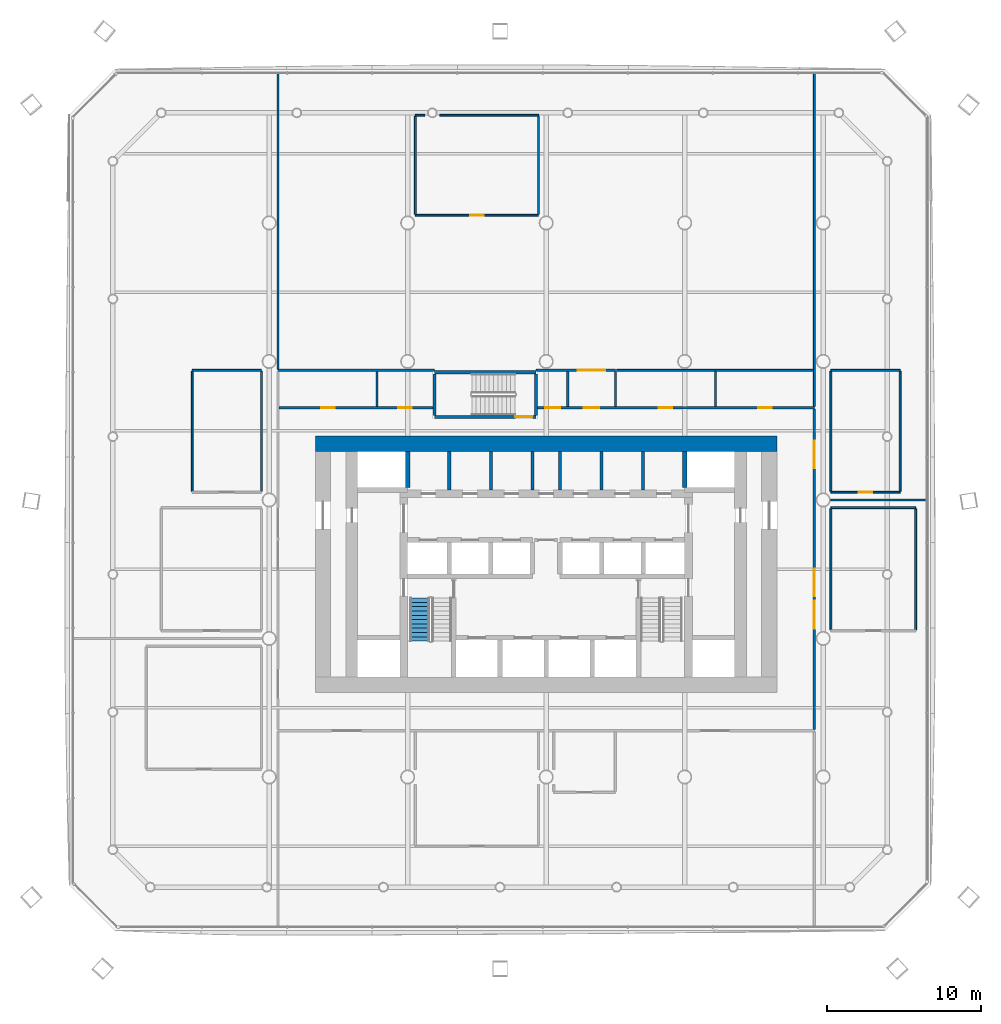
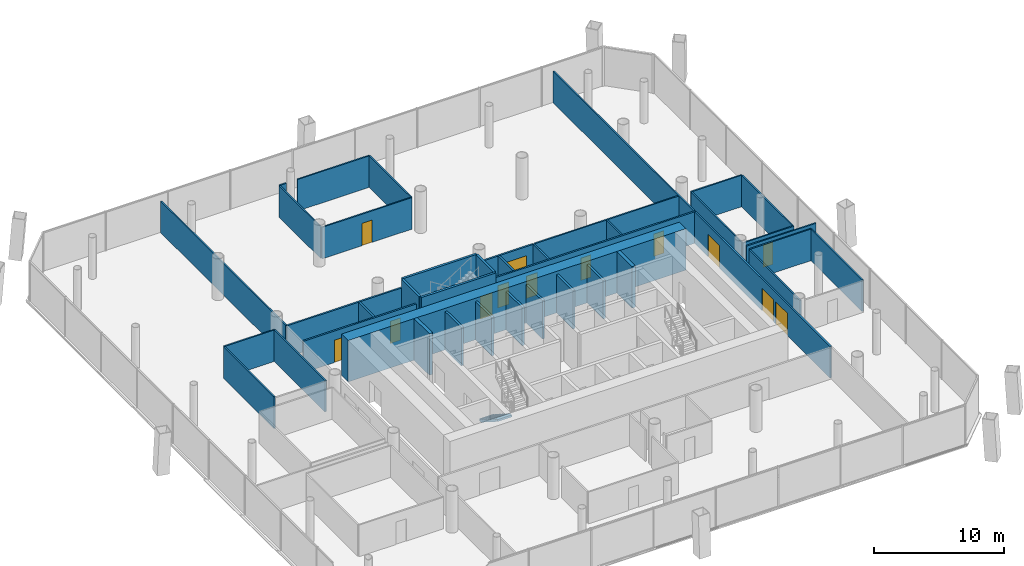
# One storey, part 16 of 22: 41 walls, 13 doors, 1 stair flight, 13 openings, 1 element without a shape of its own.
"""IFC4 building model written with IfcOpenShell, lengths in metres."""

from ifc_helpers import new_model, si_unit, direction, frame, frame_2d, origin, place, context, subcontext, project, spatial, polyline, rectangle, outline, extrude, material, layer, layer_set, type_object, element, fill, aggregate, save


model = new_model("IFC4")

# Units and contexts
model_context = context("Model", 3, precision=1e-05, world=origin(), true_north=direction((0.0, 1.0)))
body_context = subcontext(model_context, "Body", "Model", "MODEL_VIEW")
ifc_project = project(units=[si_unit("LENGTHUNIT", "METRE"), si_unit("AREAUNIT", "SQUARE_METRE"), si_unit("VOLUMEUNIT", "CUBIC_METRE"), si_unit("PLANEANGLEUNIT", "RADIAN"), si_unit("MASSUNIT", "GRAM", prefix="KILO")], contexts=[model_context])

# Site, building, storey
site_placement = place(None, origin())
site = spatial("IfcSite", under=ifc_project, at=site_placement, CompositionType="ELEMENT")
building_placement = place(site_placement, origin())
building = spatial("IfcBuilding", under=site, at=building_placement, Name="Tskaro Facet Tower", CompositionType="ELEMENT")
storey_placement = place(building_placement, frame((0.0, 0.0, 18.60009765625)))
storey = spatial("IfcBuildingStorey", under=building, at=storey_placement, Name="L03", CompositionType="ELEMENT", Elevation=18.60009765625)

# Walls
ifc_material_1 = material(Name="Concrete C60/75", Category="concrete")
ifc_layer_1 = layer(ifc_material_1, 0.300048828125, Name="Concrete C60/75")
ifc_layer_set_1 = layer_set([ifc_layer_1], Name="Concrete C60/75")
wall_type_1 = type_object("IfcWallType", Name="CORE-SHAFT", PredefinedType="SHEAR", material=ifc_layer_set_1)
for number, where, z_axis, x_axis, name in (
    (1, (-9.0, 0.800048828125, 0.0), (0.0, 0.0, 1.0), (0.0, 1.0, 0.0), "Shaft wall W046"),
    (2, (9.0, 0.800048828125, 0.0), (0.0, 0.0, 1.0), (0.0, 1.0, 0.0), "Shaft wall W077"),
):
    element("IfcWall", number, at=place(storey_placement, frame(where, z_axis=z_axis, x_axis=x_axis)), inside=storey, type_object=wall_type_1, Name=name, PredefinedType="SHEAR", context=body_context, shape_type="SweptSolid", body=[
        extrude(rectangle(XDim=2.349853515625, YDim=0.300048828125, at=frame_2d((1.1748046875, 0.0))), origin(), (0.0, 0.0, 1.0), 3.89990234375),
    ])
ifc_material_2 = material(Name="Concrete C20/25", Category="concrete")
ifc_layer_2 = layer(ifc_material_2, 0.199951171875, Name="Concrete C20/25")
ifc_layer_set_2 = layer_set([ifc_layer_2], Name="Concrete C20/25")
wall_type_2 = type_object("IfcWallType", Name="CORE-WALL", PredefinedType="SOLIDWALL", material=ifc_layer_set_2)
for number, where, z_axis, x_axis, name in (
    (3, (-6.300048828125, 0.64990234375, 0.0), (0.0, 0.0, 1.0), (0.0, 1.0, 0.0), "Core room wall W052"),
    (4, (-3.60009765625, 0.64990234375, 0.0), (0.0, 0.0, 1.0), (0.0, 1.0, 0.0), "Core room wall W055"),
    (5, (-0.89990234375, 0.64990234375, 0.0), (0.0, 0.0, 1.0), (0.0, 1.0, 0.0), "Core room wall W058"),
    (6, (0.89990234375, 0.64990234375, 0.0), (0.0, 0.0, 1.0), (0.0, 1.0, 0.0), "Core room wall W067"),
    (7, (3.60009765625, 0.64990234375, 0.0), (0.0, 0.0, 1.0), (0.0, 1.0, 0.0), "Core room wall W071"),
    (8, (6.300048828125, 0.64990234375, 0.0), (0.0, 0.0, 1.0), (0.0, 1.0, 0.0), "Core room wall W076"),
):
    element("IfcWall", number, at=place(storey_placement, frame(where, z_axis=z_axis, x_axis=x_axis)), inside=storey, type_object=wall_type_2, Name=name, PredefinedType="SOLIDWALL", context=body_context, shape_type="SweptSolid", body=[
        extrude(rectangle(XDim=2.5, YDim=0.199951171875, at=frame_2d((1.25, 0.0))), origin(), (0.0, 0.0, 1.0), 3.599853515625),
    ])
ifc_layer_3 = layer(ifc_material_1, 1.0, Name="Concrete C60/75")
ifc_layer_set_3 = layer_set([ifc_layer_3], Name="Concrete C60/75")
wall_type_3 = type_object("IfcWallType", Name="Core wall 1000", PredefinedType="SHEAR", material=ifc_layer_set_3)
wall_1_placement = place(storey_placement, frame((-15.0, 3.64990234375, 0.0), z_axis=(0.0, 0.0, 1.0), x_axis=(1.0, 0.0, 0.0)))
element("IfcWall", 9, at=wall_1_placement, inside=storey, type_object=wall_type_3, Name="Core wall CW-Z1N", PredefinedType="SHEAR", context=body_context, shape_type="SweptSolid", body=[
    extrude(rectangle(XDim=30.0, YDim=1.0, at=frame_2d((15.0, 0.0))), origin(), (0.0, 0.0, 1.0), 3.89990234375),
])
ifc_material_3 = material(Name="Gypsum board on steel studs", Category="steel")
ifc_layer_4 = layer(ifc_material_3, 0.125, Name="Gypsum board on steel studs")
ifc_layer_set_4 = layer_set([ifc_layer_4], Name="Gypsum board on steel studs")
wall_type_4 = type_object("IfcWallType", Name="PART", PredefinedType="PARTITIONING", material=ifc_layer_set_4)
wall_2_placement = place(storey_placement, frame((18.5, -0.5, 0.0), z_axis=(0.0, 0.0, 1.0), x_axis=(1.0, 0.0, 0.0)))
element("IfcWall", 10, at=wall_2_placement, inside=storey, type_object=wall_type_4, Name="Partition W018", PredefinedType="PARTITIONING", context=body_context, shape_type="SweptSolid", body=[
    extrude(rectangle(XDim=5.5, YDim=0.125, at=frame_2d((2.75, 0.0))), origin(), (0.0, 0.0, 1.0), 2.9599609375),
])
wall_3_placement = place(storey_placement, frame((18.5, 0.0, 0.0), z_axis=(0.0, 0.0, 1.0), x_axis=(1.0, 0.0, 0.0)))
element("IfcWall", 11, at=wall_3_placement, inside=storey, type_object=wall_type_4, Name="Partition W019", PredefinedType="PARTITIONING", context=body_context, shape_type="SweptSolid", body=[
    extrude(rectangle(XDim=6.199951171875, YDim=0.125, at=frame_2d((3.10009765625, 0.0))), origin(), (0.0, 0.0, 1.0), 2.9599609375),
])

# Wall, opening, door
wall_4_placement = place(storey_placement, frame((18.5, 0.5, 0.0), z_axis=(0.0, 0.0, 1.0), x_axis=(1.0, 0.0, 0.0)))
wall_4 = element("IfcWall", 12, at=wall_4_placement, inside=storey, type_object=wall_type_4, Name="Partition W021", PredefinedType="PARTITIONING", context=body_context, shape_type="SweptSolid", body=[
    extrude(rectangle(XDim=4.5, YDim=0.125, at=frame_2d((2.25, 0.0))), origin(), (0.0, 0.0, 1.0), 2.9599609375),
])
opening_1_placement = place(wall_4_placement, frame((1.800048828125, 0.0, 0.0)))
opening_1 = element("IfcOpeningElement", 13, at=opening_1_placement, cuts=wall_4, Name="Opening T0-D29", PredefinedType="OPENING", context=body_context, shape_type="SweptSolid", body=[
    extrude(rectangle(XDim=0.89990234375, YDim=2.10009765625, at=frame_2d((0.449951171875, 1.050048828125))), frame((0.0, 0.072509765625, 0.0), z_axis=(0.0, -1.0, 0.0), x_axis=(1.0, 0.0, 0.0)), (0.0, 0.0, 1.0), 0.14501953125),
])
ifc_material_4 = material(Name="Timber", Category="wood")
door_type_1 = type_object("IfcDoorType", Name="D-ROOM", OperationType="NOTDEFINED", PredefinedType="DOOR", material=ifc_material_4)
door_1_placement = place(opening_1_placement, origin())
door_1 = element("IfcDoor", 14, at=door_1_placement, inside=storey, type_object=door_type_1, Name="Door T0-D29", OperationType="SINGLE_SWING_LEFT", OverallHeight=2.10009765625, OverallWidth=0.89990234375, PredefinedType="DOOR", context=body_context, shape_type="SweptSolid", body=[
    extrude(rectangle(XDim=0.89990234375, YDim=2.10009765625, at=frame_2d((0.449951171875, 1.050048828125))), frame((0.0, 0.02490234375, 0.0), z_axis=(0.0, -1.0, 0.0), x_axis=(1.0, 0.0, 0.0)), (0.0, 0.0, 1.0), 0.050048828125),
])
fill(opening_1, door_1)

# Walls
wall_5_placement = place(storey_placement, frame((-23.0, 8.425048828125, 0.0), z_axis=(0.0, 0.0, 1.0), x_axis=(1.0, 0.0, 0.0)))
element("IfcWall", 15, at=wall_5_placement, inside=storey, type_object=wall_type_4, Name="Partition W028", PredefinedType="PARTITIONING", context=body_context, shape_type="SweptSolid", body=[
    extrude(rectangle(XDim=4.5, YDim=0.125, at=frame_2d((2.25, 0.0))), origin(), (0.0, 0.0, 1.0), 2.9599609375),
])
wall_6_placement = place(storey_placement, frame((4.574951171875, 8.425048828125, 0.0), z_axis=(0.0, 0.0, 1.0), x_axis=(1.0, 0.0, 0.0)))
element("IfcWall", 16, at=wall_6_placement, inside=storey, type_object=wall_type_4, Name="Partition W031", PredefinedType="PARTITIONING", context=body_context, shape_type="SweptSolid", body=[
    extrude(rectangle(XDim=12.78759765625, YDim=0.125, at=frame_2d((6.393798828125, 0.0))), origin(), (0.0, 0.0, 1.0), 2.9599609375),
])
wall_7_placement = place(storey_placement, frame((18.5, 8.425048828125, 0.0), z_axis=(0.0, 0.0, 1.0), x_axis=(1.0, 0.0, 0.0)))
element("IfcWall", 17, at=wall_7_placement, inside=storey, type_object=wall_type_4, Name="Partition W032", PredefinedType="PARTITIONING", context=body_context, shape_type="SweptSolid", body=[
    extrude(rectangle(XDim=4.5, YDim=0.125, at=frame_2d((2.25, 0.0))), origin(), (0.0, 0.0, 1.0), 2.9599609375),
])

# Wall, opening, door
wall_8_placement = place(storey_placement, frame((-8.5, 18.5, 0.0), z_axis=(0.0, 0.0, 1.0), x_axis=(1.0, 0.0, 0.0)))
wall_8 = element("IfcWall", 18, at=wall_8_placement, inside=storey, type_object=wall_type_4, Name="Partition W033", PredefinedType="PARTITIONING", context=body_context, shape_type="SweptSolid", body=[
    extrude(rectangle(XDim=8.0, YDim=0.125, at=frame_2d((4.0, 0.0))), origin(), (0.0, 0.0, 1.0), 2.9599609375),
])
opening_2_placement = place(wall_8_placement, frame((3.550048828125, 0.0, 0.0)))
opening_2 = element("IfcOpeningElement", 19, at=opening_2_placement, cuts=wall_8, Name="Opening T0-D40", PredefinedType="OPENING", context=body_context, shape_type="SweptSolid", body=[
    extrude(rectangle(XDim=0.89990234375, YDim=2.10009765625, at=frame_2d((0.449951171875, 1.050048828125))), frame((0.0, 0.072509765625, 0.0), z_axis=(0.0, -1.0, 0.0), x_axis=(1.0, 0.0, 0.0)), (0.0, 0.0, 1.0), 0.14501953125),
])
door_2_placement = place(opening_2_placement, origin())
door_2 = element("IfcDoor", 20, at=door_2_placement, inside=storey, type_object=door_type_1, Name="Door T0-D40", OperationType="SINGLE_SWING_LEFT", OverallHeight=2.10009765625, OverallWidth=0.89990234375, PredefinedType="DOOR", context=body_context, shape_type="SweptSolid", body=[
    extrude(rectangle(XDim=0.89990234375, YDim=2.10009765625, at=frame_2d((0.449951171875, 1.050048828125))), frame((0.0, 0.02490234375, 0.0), z_axis=(0.0, -1.0, 0.0), x_axis=(1.0, 0.0, 0.0)), (0.0, 0.0, 1.0), 0.050048828125),
])
fill(opening_2, door_2)

# Walls
wall_9_placement = place(storey_placement, frame((-8.5, 25.0, 0.0), z_axis=(0.0, 0.0, 1.0), x_axis=(1.0, 0.0, 0.0)))
element("IfcWall", 21, at=wall_9_placement, inside=storey, type_object=wall_type_4, Name="Partition W034", PredefinedType="PARTITIONING", context=body_context, shape_type="SweptSolid", body=[
    extrude(rectangle(XDim=0.597900390625, YDim=0.125, at=frame_2d((0.298828125, 0.0))), origin(), (0.0, 0.0, 1.0), 2.9599609375),
])
wall_10_placement = place(storey_placement, frame((-6.902099609375, 25.0, 0.0), z_axis=(0.0, 0.0, 1.0), x_axis=(1.0, 0.0, 0.0)))
element("IfcWall", 22, at=wall_10_placement, inside=storey, type_object=wall_type_4, Name="Partition W035", PredefinedType="PARTITIONING", context=body_context, shape_type="SweptSolid", body=[
    extrude(rectangle(XDim=6.402099609375, YDim=0.125, at=frame_2d((3.201171875, 0.0))), origin(), (0.0, 0.0, 1.0), 2.9599609375),
])
for number, where, z_axis, x_axis, name in (
    (23, (-23.0, 0.5625, 0.0), (0.0, 0.0, 1.0), (0.0, 1.0, 0.0), "Partition W038"),
    (24, (-18.5, 0.5625, 0.0), (0.0, 0.0, 1.0), (0.0, 1.0, 0.0), "Partition W041"),
):
    element("IfcWall", number, at=place(storey_placement, frame(where, z_axis=z_axis, x_axis=x_axis)), inside=storey, type_object=wall_type_4, Name=name, PredefinedType="PARTITIONING", context=body_context, shape_type="SweptSolid", body=[
        extrude(rectangle(XDim=7.800048828125, YDim=0.125, at=frame_2d((3.89990234375, 0.0))), origin(), (0.0, 0.0, 1.0), 2.9599609375),
    ])
wall_11_placement = place(storey_placement, frame((-17.425048828125, 8.5, 0.0), z_axis=(0.0, 0.0, 1.0), x_axis=(0.0, 1.0, 0.0)))
element("IfcWall", 25, at=wall_11_placement, inside=storey, type_object=wall_type_4, Name="Partition W044", PredefinedType="PARTITIONING", context=body_context, shape_type="SweptSolid", body=[
    extrude(rectangle(XDim=19.199951171875, YDim=0.125, at=frame_2d((9.60009765625, 0.0))), origin(), (0.0, 0.0, 1.0), 2.9599609375),
])
for number, where, z_axis, x_axis, name in (
    (26, (-8.5, 18.5625, 0.0), (0.0, 0.0, 1.0), (0.0, 1.0, 0.0), "Partition W049"),
    (27, (-0.5, 18.5625, 0.0), (0.0, 0.0, 1.0), (0.0, 1.0, 0.0), "Partition W062"),
):
    element("IfcWall", number, at=place(storey_placement, frame(where, z_axis=z_axis, x_axis=x_axis)), inside=storey, type_object=wall_type_4, Name=name, PredefinedType="PARTITIONING", context=body_context, shape_type="SweptSolid", body=[
        extrude(rectangle(XDim=6.375, YDim=0.125, at=frame_2d((3.1875, 0.0))), origin(), (0.0, 0.0, 1.0), 2.9599609375),
    ])
wall_12_placement = place(storey_placement, frame((11.0, 6.074951171875, 0.0), z_axis=(0.0, 0.0, 1.0), x_axis=(0.0, 1.0, 0.0)))
element("IfcWall", 28, at=wall_12_placement, inside=storey, type_object=wall_type_4, Name="Partition W078", PredefinedType="PARTITIONING", context=body_context, shape_type="SweptSolid", body=[
    extrude(rectangle(XDim=2.28759765625, YDim=0.125, at=frame_2d((1.143798828125, 0.0))), origin(), (0.0, 0.0, 1.0), 2.9599609375),
])
wall_13_placement = place(storey_placement, frame((17.425048828125, 6.074951171875, 0.0), z_axis=(0.0, 0.0, 1.0), x_axis=(0.0, 1.0, 0.0)))
element("IfcWall", 29, at=wall_13_placement, inside=storey, type_object=wall_type_4, Name="Partition W081", PredefinedType="PARTITIONING", context=body_context, shape_type="SweptSolid", body=[
    extrude(rectangle(XDim=21.625, YDim=0.125, at=frame_2d((10.8125, 0.0))), origin(), (0.0, 0.0, 1.0), 2.9599609375),
])
wall_14_placement = place(storey_placement, frame((18.5, -8.4375, 0.0), z_axis=(0.0, 0.0, 1.0), x_axis=(0.0, 1.0, 0.0)))
element("IfcWall", 30, at=wall_14_placement, inside=storey, type_object=wall_type_4, Name="Partition W082", PredefinedType="PARTITIONING", context=body_context, shape_type="SweptSolid", body=[
    extrude(rectangle(XDim=7.875, YDim=0.125, at=frame_2d((3.9375, 0.0))), origin(), (0.0, 0.0, 1.0), 2.9599609375),
])
for number, where, z_axis, x_axis, name in (
    (31, (18.5, 0.5625, 0.0), (0.0, 0.0, 1.0), (0.0, 1.0, 0.0), "Partition W083"),
    (32, (23.0, 0.5625, 0.0), (0.0, 0.0, 1.0), (0.0, 1.0, 0.0), "Partition W084"),
):
    element("IfcWall", number, at=place(storey_placement, frame(where, z_axis=z_axis, x_axis=x_axis)), inside=storey, type_object=wall_type_4, Name=name, PredefinedType="PARTITIONING", context=body_context, shape_type="SweptSolid", body=[
        extrude(rectangle(XDim=7.800048828125, YDim=0.125, at=frame_2d((3.89990234375, 0.0))), origin(), (0.0, 0.0, 1.0), 2.9599609375),
    ])
wall_15_placement = place(storey_placement, frame((24.0, -8.4375, 0.0), z_axis=(0.0, 0.0, 1.0), x_axis=(0.0, 1.0, 0.0)))
element("IfcWall", 33, at=wall_15_placement, inside=storey, type_object=wall_type_4, Name="Partition W085", PredefinedType="PARTITIONING", context=body_context, shape_type="SweptSolid", body=[
    extrude(rectangle(XDim=7.875, YDim=0.125, at=frame_2d((3.9375, 0.0))), origin(), (0.0, 0.0, 1.0), 2.9599609375),
])

# Wall, openings, doors
ifc_layer_5 = layer(ifc_material_3, 0.14990234375, Name="Gypsum board on steel studs")
ifc_layer_set_5 = layer_set([ifc_layer_5], Name="Gypsum board on steel studs")
wall_type_5 = type_object("IfcWallType", Name="PART-CORR", PredefinedType="PARTITIONING", material=ifc_layer_set_5)
wall_16_placement = place(storey_placement, frame((-17.35009765625, 6.0, 0.0), z_axis=(0.0, 0.0, 1.0), x_axis=(1.0, 0.0, 0.0)))
wall_16 = element("IfcWall", 34, at=wall_16_placement, inside=storey, type_object=wall_type_5, Name="Corridor wall W025", PredefinedType="PARTITIONING", context=body_context, shape_type="SweptSolid", body=[
    extrude(rectangle(XDim=10.0, YDim=0.14990234375, at=frame_2d((5.0, 0.0))), origin(), (0.0, 0.0, 1.0), 2.9599609375),
])
opening_3_placement = place(wall_16_placement, frame((2.72509765625, 0.0, 0.0)))
opening_3 = element("IfcOpeningElement", 35, at=opening_3_placement, cuts=wall_16, Name="Opening T0-D33", PredefinedType="OPENING", context=body_context, shape_type="SweptSolid", body=[
    extrude(rectangle(XDim=0.89990234375, YDim=2.10009765625, at=frame_2d((0.449951171875, 1.050048828125))), frame((0.0, 0.0849609375, 0.0), z_axis=(0.0, -1.0, 0.0), x_axis=(1.0, 0.0, 0.0)), (0.0, 0.0, 1.0), 0.169921875),
])
opening_4_placement = place(wall_16_placement, frame((7.72509765625, 0.0, 0.0)))
opening_4 = element("IfcOpeningElement", 36, at=opening_4_placement, cuts=wall_16, Name="Opening T0-D34", PredefinedType="OPENING", context=body_context, shape_type="SweptSolid", body=[
    extrude(rectangle(XDim=0.89990234375, YDim=2.10009765625, at=frame_2d((0.449951171875, 1.050048828125))), frame((0.0, 0.0849609375, 0.0), z_axis=(0.0, -1.0, 0.0), x_axis=(1.0, 0.0, 0.0)), (0.0, 0.0, 1.0), 0.169921875),
])
door_3_placement = place(opening_3_placement, origin())
door_3 = element("IfcDoor", 37, at=door_3_placement, inside=storey, type_object=door_type_1, Name="Door T0-D33", OperationType="SINGLE_SWING_LEFT", OverallHeight=2.10009765625, OverallWidth=0.89990234375, PredefinedType="DOOR", context=body_context, shape_type="SweptSolid", body=[
    extrude(rectangle(XDim=0.89990234375, YDim=2.10009765625, at=frame_2d((0.449951171875, 1.050048828125))), frame((0.0, 0.02490234375, 0.0), z_axis=(0.0, -1.0, 0.0), x_axis=(1.0, 0.0, 0.0)), (0.0, 0.0, 1.0), 0.050048828125),
])
fill(opening_3, door_3)
door_4_placement = place(opening_4_placement, origin())
door_4 = element("IfcDoor", 38, at=door_4_placement, inside=storey, type_object=door_type_1, Name="Door T0-D34", OperationType="SINGLE_SWING_LEFT", OverallHeight=2.10009765625, OverallWidth=0.89990234375, PredefinedType="DOOR", context=body_context, shape_type="SweptSolid", body=[
    extrude(rectangle(XDim=0.89990234375, YDim=2.10009765625, at=frame_2d((0.449951171875, 1.050048828125))), frame((0.0, 0.02490234375, 0.0), z_axis=(0.0, -1.0, 0.0), x_axis=(1.0, 0.0, 0.0)), (0.0, 0.0, 1.0), 0.050048828125),
])
fill(opening_4, door_4)

wall_17_placement = place(storey_placement, frame((17.425048828125, 6.0, 0.0), z_axis=(0.0, 0.0, 1.0), x_axis=(-1.0, 0.0, 0.0)))
wall_17 = element("IfcWall", 39, at=wall_17_placement, inside=storey, type_object=wall_type_5, Name="Corridor wall W026", PredefinedType="PARTITIONING", context=body_context, shape_type="SweptSolid", body=[
    extrude(rectangle(XDim=17.97509765625, YDim=0.14990234375, at=frame_2d((8.987548828125, 0.0))), origin(), (0.0, 0.0, 1.0), 2.9599609375),
])
opening_5_placement = place(wall_17_placement, frame((13.97509765625, 0.0, 0.0)))
opening_5 = element("IfcOpeningElement", 40, at=opening_5_placement, cuts=wall_17, Name="Opening T0-D36", PredefinedType="OPENING", context=body_context, shape_type="SweptSolid", body=[
    extrude(rectangle(XDim=1.0, YDim=2.10009765625, at=frame_2d((0.5, 1.050048828125))), frame((0.0, 0.0849609375, 0.0), z_axis=(0.0, -1.0, 0.0), x_axis=(1.0, 0.0, 0.0)), (0.0, 0.0, 1.0), 0.169921875),
])
opening_6_placement = place(wall_17_placement, frame((16.5, 0.0, 0.0)))
opening_6 = element("IfcOpeningElement", 41, at=opening_6_placement, cuts=wall_17, Name="Opening T0-D35", PredefinedType="OPENING", context=body_context, shape_type="SweptSolid", body=[
    extrude(rectangle(XDim=1.0, YDim=2.10009765625, at=frame_2d((0.5, 1.050048828125))), frame((0.0, 0.0849609375, 0.0), z_axis=(0.0, -1.0, 0.0), x_axis=(1.0, 0.0, 0.0)), (0.0, 0.0, 1.0), 0.169921875),
])
opening_7_placement = place(wall_17_placement, frame((9.22509765625, 0.0, 0.0)))
opening_7 = element("IfcOpeningElement", 42, at=opening_7_placement, cuts=wall_17, Name="Opening T0-D37", PredefinedType="OPENING", context=body_context, shape_type="SweptSolid", body=[
    extrude(rectangle(XDim=0.89990234375, YDim=2.10009765625, at=frame_2d((0.449951171875, 1.050048828125))), frame((0.0, 0.0849609375, 0.0), z_axis=(0.0, -1.0, 0.0), x_axis=(1.0, 0.0, 0.0)), (0.0, 0.0, 1.0), 0.169921875),
])
opening_8_placement = place(wall_17_placement, frame((2.762451171875, 0.0, 0.0)))
opening_8 = element("IfcOpeningElement", 43, at=opening_8_placement, cuts=wall_17, Name="Opening T0-D38", PredefinedType="OPENING", context=body_context, shape_type="SweptSolid", body=[
    extrude(rectangle(XDim=0.89990234375, YDim=2.10009765625, at=frame_2d((0.449951171875, 1.050048828125))), frame((0.0, 0.0849609375, 0.0), z_axis=(0.0, -1.0, 0.0), x_axis=(1.0, 0.0, 0.0)), (0.0, 0.0, 1.0), 0.169921875),
])
door_type_2 = type_object("IfcDoorType", Name="D-ENTRY", OperationType="NOTDEFINED", PredefinedType="DOOR", material=ifc_material_4)
door_5_placement = place(opening_5_placement, origin())
door_5 = element("IfcDoor", 44, at=door_5_placement, inside=storey, type_object=door_type_2, Name="Door T0-D36", OperationType="SINGLE_SWING_RIGHT", OverallHeight=2.10009765625, OverallWidth=1.0, PredefinedType="DOOR", context=body_context, shape_type="SweptSolid", body=[
    extrude(rectangle(XDim=1.0, YDim=2.10009765625, at=frame_2d((0.5, 1.050048828125))), frame((0.0, 0.02490234375, 0.0), z_axis=(0.0, -1.0, 0.0), x_axis=(1.0, 0.0, 0.0)), (0.0, 0.0, 1.0), 0.050048828125),
])
fill(opening_5, door_5)
door_6_placement = place(opening_7_placement, origin())
door_6 = element("IfcDoor", 45, at=door_6_placement, inside=storey, type_object=door_type_1, Name="Door T0-D37", OperationType="SINGLE_SWING_RIGHT", OverallHeight=2.10009765625, OverallWidth=0.89990234375, PredefinedType="DOOR", context=body_context, shape_type="SweptSolid", body=[
    extrude(rectangle(XDim=0.89990234375, YDim=2.10009765625, at=frame_2d((0.449951171875, 1.050048828125))), frame((0.0, 0.02490234375, 0.0), z_axis=(0.0, -1.0, 0.0), x_axis=(1.0, 0.0, 0.0)), (0.0, 0.0, 1.0), 0.050048828125),
])
fill(opening_7, door_6)
door_7_placement = place(opening_8_placement, origin())
door_7 = element("IfcDoor", 46, at=door_7_placement, inside=storey, type_object=door_type_1, Name="Door T0-D38", OperationType="SINGLE_SWING_RIGHT", OverallHeight=2.10009765625, OverallWidth=0.89990234375, PredefinedType="DOOR", context=body_context, shape_type="SweptSolid", body=[
    extrude(rectangle(XDim=0.89990234375, YDim=2.10009765625, at=frame_2d((0.449951171875, 1.050048828125))), frame((0.0, 0.02490234375, 0.0), z_axis=(0.0, -1.0, 0.0), x_axis=(1.0, 0.0, 0.0)), (0.0, 0.0, 1.0), 0.050048828125),
])
fill(opening_8, door_7)
door_type_3 = type_object("IfcDoorType", Name="D-ROOM-WIDE", OperationType="NOTDEFINED", PredefinedType="DOOR", material=ifc_material_4)
door_8_placement = place(opening_6_placement, origin())
door_8 = element("IfcDoor", 47, at=door_8_placement, inside=storey, type_object=door_type_3, Name="Door T0-D35", OperationType="SINGLE_SWING_RIGHT", OverallHeight=2.10009765625, OverallWidth=1.0, PredefinedType="DOOR", context=body_context, shape_type="SweptSolid", body=[
    extrude(rectangle(XDim=1.0, YDim=2.10009765625, at=frame_2d((0.5, 1.050048828125))), frame((0.0, 0.02490234375, 0.0), z_axis=(0.0, -1.0, 0.0), x_axis=(1.0, 0.0, 0.0)), (0.0, 0.0, 1.0), 0.050048828125),
])
fill(opening_6, door_8)

# Wall
wall_18_placement = place(storey_placement, frame((-17.425048828125, 8.425048828125, 0.0), z_axis=(0.0, 0.0, 1.0), x_axis=(1.0, 0.0, 0.0)))
element("IfcWall", 48, at=wall_18_placement, inside=storey, type_object=wall_type_5, Name="Corridor wall W029", PredefinedType="PARTITIONING", context=body_context, shape_type="SweptSolid", body=[
    extrude(rectangle(XDim=10.175048828125, YDim=0.14990234375, at=frame_2d((5.08740234375, 0.0))), origin(), (0.0, 0.0, 1.0), 2.9599609375),
])

# Wall, opening, door
wall_19_placement = place(storey_placement, frame((-0.64990234375, 8.425048828125, 0.0), z_axis=(0.0, 0.0, 1.0), x_axis=(1.0, 0.0, 0.0)))
wall_19 = element("IfcWall", 49, at=wall_19_placement, inside=storey, type_object=wall_type_5, Name="Corridor wall W030", PredefinedType="PARTITIONING", context=body_context, shape_type="SweptSolid", body=[
    extrude(rectangle(XDim=5.14990234375, YDim=0.14990234375, at=frame_2d((2.574951171875, 0.0))), origin(), (0.0, 0.0, 1.0), 2.9599609375),
])
opening_9_placement = place(wall_19_placement, frame((2.699951171875, 0.0, 0.0)))
opening_9 = element("IfcOpeningElement", 50, at=opening_9_placement, cuts=wall_19, Name="Opening T0-D39", PredefinedType="OPENING", context=body_context, shape_type="SweptSolid", body=[
    extrude(rectangle(XDim=1.800048828125, YDim=2.10009765625, at=frame_2d((0.89990234375, 1.050048828125))), frame((0.0, 0.0849609375, 0.0), z_axis=(0.0, -1.0, 0.0), x_axis=(1.0, 0.0, 0.0)), (0.0, 0.0, 1.0), 0.169921875),
])
ifc_material_5 = material(Name="Glass", Category="glass")
door_type_4 = type_object("IfcDoorType", Name="D-ENTRY-PAIR", OperationType="NOTDEFINED", PredefinedType="DOOR", material=ifc_material_5)
door_9_placement = place(opening_9_placement, origin())
door_9 = element("IfcDoor", 51, at=door_9_placement, inside=storey, type_object=door_type_4, Name="Door T0-D39", OperationType="DOUBLE_DOOR_SINGLE_SWING", OverallHeight=2.10009765625, OverallWidth=1.800048828125, PredefinedType="DOOR", context=body_context, shape_type="SweptSolid", body=[
    extrude(rectangle(XDim=1.800048828125, YDim=2.10009765625, at=frame_2d((0.89990234375, 1.050048828125))), frame((0.0, 0.02490234375, 0.0), z_axis=(0.0, -1.0, 0.0), x_axis=(1.0, 0.0, 0.0)), (0.0, 0.0, 1.0), 0.050048828125),
])
fill(opening_9, door_9)

# Walls
for number, where, z_axis, x_axis, name in (
    (52, (-11.0, 6.074951171875, 0.0), (0.0, 0.0, 1.0), (0.0, 1.0, 0.0), "Corridor wall W045"),
    (53, (1.39990234375, 6.074951171875, 0.0), (0.0, 0.0, 1.0), (0.0, 1.0, 0.0), "Corridor wall W068"),
    (54, (4.5, 6.074951171875, 0.0), (0.0, 0.0, 1.0), (0.0, 1.0, 0.0), "Corridor wall W073"),
):
    element("IfcWall", number, at=place(storey_placement, frame(where, z_axis=z_axis, x_axis=x_axis)), inside=storey, type_object=wall_type_5, Name=name, PredefinedType="PARTITIONING", context=body_context, shape_type="SweptSolid", body=[
        extrude(rectangle(XDim=2.275146484375, YDim=0.14990234375, at=frame_2d((1.1376953125, 0.0))), origin(), (0.0, 0.0, 1.0), 2.9599609375),
    ])

# Wall, openings, doors
wall_20_placement = place(storey_placement, frame((17.425048828125, -14.925048828125, 0.0), z_axis=(0.0, 0.0, 1.0), x_axis=(0.0, 1.0, 0.0)))
wall_20 = element("IfcWall", 55, at=wall_20_placement, inside=storey, type_object=wall_type_5, Name="Corridor wall W080", PredefinedType="PARTITIONING", context=body_context, shape_type="SweptSolid", body=[
    extrude(rectangle(XDim=20.85009765625, YDim=0.14990234375, at=frame_2d((10.425048828125, 0.0))), origin(), (0.0, 0.0, 1.0), 2.9599609375),
])
opening_10_placement = place(wall_20_placement, frame((6.5625, 0.0, 0.0)))
opening_10 = element("IfcOpeningElement", 56, at=opening_10_placement, cuts=wall_20, Name="Opening T0-D11", PredefinedType="OPENING", context=body_context, shape_type="SweptSolid", body=[
    extrude(rectangle(XDim=1.800048828125, YDim=2.10009765625, at=frame_2d((0.89990234375, 1.050048828125))), frame((0.0, 0.0849609375, 0.0), z_axis=(0.0, -1.0, 0.0), x_axis=(1.0, 0.0, 0.0)), (0.0, 0.0, 1.0), 0.169921875),
])
opening_11_placement = place(wall_20_placement, frame((8.66259765625, 0.0, 0.0)))
opening_11 = element("IfcOpeningElement", 57, at=opening_11_placement, cuts=wall_20, Name="Opening T0-D12", PredefinedType="OPENING", context=body_context, shape_type="SweptSolid", body=[
    extrude(rectangle(XDim=1.800048828125, YDim=2.10009765625, at=frame_2d((0.89990234375, 1.050048828125))), frame((0.0, 0.0849609375, 0.0), z_axis=(0.0, -1.0, 0.0), x_axis=(1.0, 0.0, 0.0)), (0.0, 0.0, 1.0), 0.169921875),
])
opening_12_placement = place(wall_20_placement, frame((16.987548828125, 0.0, 0.0)))
opening_12 = element("IfcOpeningElement", 58, at=opening_12_placement, cuts=wall_20, Name="Opening T0-D32", PredefinedType="OPENING", context=body_context, shape_type="SweptSolid", body=[
    extrude(rectangle(XDim=1.800048828125, YDim=2.10009765625, at=frame_2d((0.89990234375, 1.050048828125))), frame((0.0, 0.0849609375, 0.0), z_axis=(0.0, -1.0, 0.0), x_axis=(1.0, 0.0, 0.0)), (0.0, 0.0, 1.0), 0.169921875),
])
door_10_placement = place(opening_10_placement, origin())
door_10 = element("IfcDoor", 59, at=door_10_placement, inside=storey, type_object=door_type_4, Name="Door T0-D11", OperationType="DOUBLE_DOOR_SINGLE_SWING", OverallHeight=2.10009765625, OverallWidth=1.800048828125, PredefinedType="DOOR", context=body_context, shape_type="SweptSolid", body=[
    extrude(rectangle(XDim=1.800048828125, YDim=2.10009765625, at=frame_2d((0.89990234375, 1.050048828125))), frame((0.0, 0.02490234375, 0.0), z_axis=(0.0, -1.0, 0.0), x_axis=(1.0, 0.0, 0.0)), (0.0, 0.0, 1.0), 0.050048828125),
])
fill(opening_10, door_10)
door_11_placement = place(opening_11_placement, origin())
door_11 = element("IfcDoor", 60, at=door_11_placement, inside=storey, type_object=door_type_4, Name="Door T0-D12", OperationType="DOUBLE_DOOR_SINGLE_SWING", OverallHeight=2.10009765625, OverallWidth=1.800048828125, PredefinedType="DOOR", context=body_context, shape_type="SweptSolid", body=[
    extrude(rectangle(XDim=1.800048828125, YDim=2.10009765625, at=frame_2d((0.89990234375, 1.050048828125))), frame((0.0, 0.02490234375, 0.0), z_axis=(0.0, -1.0, 0.0), x_axis=(1.0, 0.0, 0.0)), (0.0, 0.0, 1.0), 0.050048828125),
])
fill(opening_11, door_11)
door_12_placement = place(opening_12_placement, origin())
door_12 = element("IfcDoor", 61, at=door_12_placement, inside=storey, type_object=door_type_4, Name="Door T0-D32", OperationType="DOUBLE_DOOR_SINGLE_SWING", OverallHeight=2.10009765625, OverallWidth=1.800048828125, PredefinedType="DOOR", context=body_context, shape_type="SweptSolid", body=[
    extrude(rectangle(XDim=1.800048828125, YDim=2.10009765625, at=frame_2d((0.89990234375, 1.050048828125))), frame((0.0, 0.02490234375, 0.0), z_axis=(0.0, -1.0, 0.0), x_axis=(1.0, 0.0, 0.0)), (0.0, 0.0, 1.0), 0.050048828125),
])
fill(opening_12, door_12)

# Wall, opening, door
ifc_layer_6 = layer(ifc_material_1, 0.199951171875, Name="Concrete C60/75")
ifc_layer_set_6 = layer_set([ifc_layer_6], Name="Concrete C60/75")
wall_type_6 = type_object("IfcWallType", Name="STAIR-WALL", PredefinedType="SHEAR", material=ifc_layer_set_6)
wall_21_placement = place(storey_placement, frame((-7.25, 5.39990234375, 0.0), z_axis=(0.0, 0.0, 1.0), x_axis=(1.0, 0.0, 0.0)))
wall_21 = element("IfcWall", 62, at=wall_21_placement, inside=storey, type_object=wall_type_6, Name="Stair wall W024", PredefinedType="SHEAR", context=body_context, shape_type="SweptSolid", body=[
    extrude(rectangle(XDim=6.60009765625, YDim=0.199951171875, at=frame_2d((3.300048828125, 0.0))), origin(), (0.0, 0.0, 1.0), 3.89990234375),
])
opening_13_placement = place(wall_21_placement, frame((5.25, 0.0, 0.0)))
opening_13 = element("IfcOpeningElement", 63, at=opening_13_placement, cuts=wall_21, Name="Opening ST-3-D1", PredefinedType="OPENING", context=body_context, shape_type="SweptSolid", body=[
    extrude(rectangle(XDim=1.10009765625, YDim=2.10009765625, at=frame_2d((0.550048828125, 1.050048828125))), frame((0.0, 0.10986328125, 0.0), z_axis=(0.0, -1.0, 0.0), x_axis=(1.0, 0.0, 0.0)), (0.0, 0.0, 1.0), 0.219970703125),
])
ifc_material_6 = material(Name="Steel", Category="steel")
door_type_5 = type_object("IfcDoorType", Name="D-STAIR", OperationType="NOTDEFINED", PredefinedType="DOOR", material=ifc_material_6)
door_13_placement = place(opening_13_placement, origin())
door_13 = element("IfcDoor", 64, at=door_13_placement, inside=storey, type_object=door_type_5, Name="Stair door 3", OperationType="SINGLE_SWING_LEFT", OverallHeight=2.10009765625, OverallWidth=1.10009765625, PredefinedType="DOOR", context=body_context, shape_type="SweptSolid", body=[
    extrude(rectangle(XDim=1.10009765625, YDim=2.10009765625, at=frame_2d((0.550048828125, 1.050048828125))), frame((0.0, 0.02490234375, 0.0), z_axis=(0.0, -1.0, 0.0), x_axis=(1.0, 0.0, 0.0)), (0.0, 0.0, 1.0), 0.050048828125),
])
fill(opening_13, door_13)

# Walls
wall_22_placement = place(storey_placement, frame((-7.25, 8.300048828125, 0.0), z_axis=(0.0, 0.0, 1.0), x_axis=(1.0, 0.0, 0.0)))
element("IfcWall", 65, at=wall_22_placement, inside=storey, type_object=wall_type_6, Name="Stair wall W027", PredefinedType="SHEAR", context=body_context, shape_type="SweptSolid", body=[
    extrude(rectangle(XDim=6.60009765625, YDim=0.199951171875, at=frame_2d((3.300048828125, 0.0))), origin(), (0.0, 0.0, 1.0), 3.89990234375),
])
for number, where, z_axis, x_axis, name in (
    (66, (-7.25, 5.5, 0.0), (0.0, 0.0, 1.0), (0.0, 1.0, 0.0), "Stair wall W050"),
    (67, (-0.64990234375, 5.5, 0.0), (0.0, 0.0, 1.0), (0.0, 1.0, 0.0), "Stair wall W059"),
):
    element("IfcWall", number, at=place(storey_placement, frame(where, z_axis=z_axis, x_axis=x_axis)), inside=storey, type_object=wall_type_6, Name=name, PredefinedType="SHEAR", context=body_context, shape_type="SweptSolid", body=[
        extrude(rectangle(XDim=2.699951171875, YDim=0.199951171875, at=frame_2d((1.35009765625, 0.0))), origin(), (0.0, 0.0, 1.0), 3.89990234375),
    ])

# Stair, stair flight
ifc_material_7 = material(Name="Concrete C40/50", Category="concrete")
stair_type = type_object("IfcStairType", Name="ST-TWR", PredefinedType="HALF_TURN_STAIR", material=ifc_material_7)
stair_placement = place(storey_placement, origin())
stair = element("IfcStair", 68, at=stair_placement, inside=storey, type_object=stair_type, Name="L03 Exit stair 1", PredefinedType="HALF_TURN_STAIR")
stair_flight_type = type_object("IfcStairFlightType", Name="SFL-RC", PredefinedType="STRAIGHT", material=ifc_material_7)
stair_flight_placement = place(storey_placement, frame((-8.21240234375, -6.375, 0.0), z_axis=(0.0, 0.0, 1.0), x_axis=(0.0, -1.0, 0.0)))
stair_flight = element("IfcStairFlight", 69, at=stair_flight_placement, type_object=stair_flight_type, Name="ST-1 flight 1", NumberOfRisers=11, NumberOfTreads=10, PredefinedType="STRAIGHT", RiserHeight=0.177272727, TreadLength=0.28, context=body_context, shape_type="SweptSolid", body=[
    extrude(outline(polyline([(0.0, 0.0), (0.0, 0.17724609375), (0.280029296875, 0.17724609375), (0.280029296875, 0.3544921875), (0.56005859375, 0.3544921875), (0.56005859375, 0.53173828125), (0.840087890625, 0.53173828125), (0.840087890625, 0.708984375), (1.1201171875, 0.708984375), (1.1201171875, 0.886474609375), (1.39990234375, 0.886474609375), (1.39990234375, 1.063720703125), (1.679931640625, 1.063720703125), (1.679931640625, 1.240966796875), (1.9599609375, 1.240966796875), (1.9599609375, 1.418212890625), (2.239990234375, 1.418212890625), (2.239990234375, 1.595458984375), (2.52001953125, 1.595458984375), (2.52001953125, 1.772705078125), (2.800048828125, 1.772705078125), (2.800048828125, 1.949951171875), (2.800048828125, 1.59521484375), (0.2802734375, 0.0), (0.0, 0.0)])), frame((0.0, 0.637451171875, 0.0), z_axis=(0.0, -1.0, 0.0), x_axis=(1.0, 0.0, 0.0)), (0.0, 0.0, 1.0), 1.27490234375),
])
aggregate(stair, [stair_flight])

save(model, "model.ifc")
